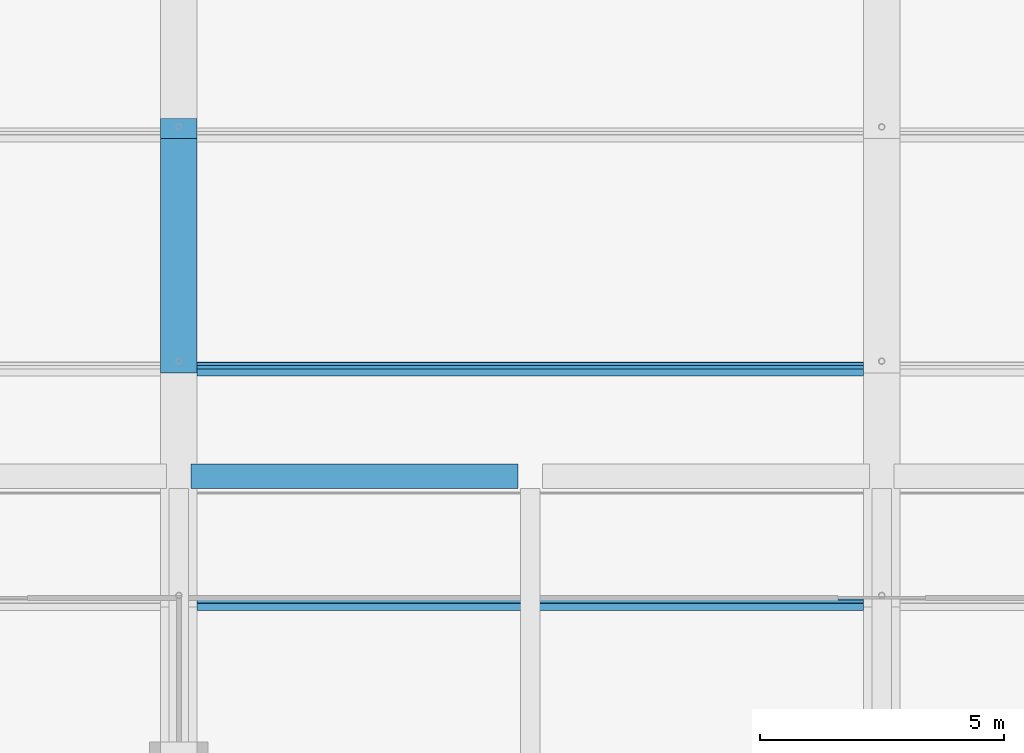
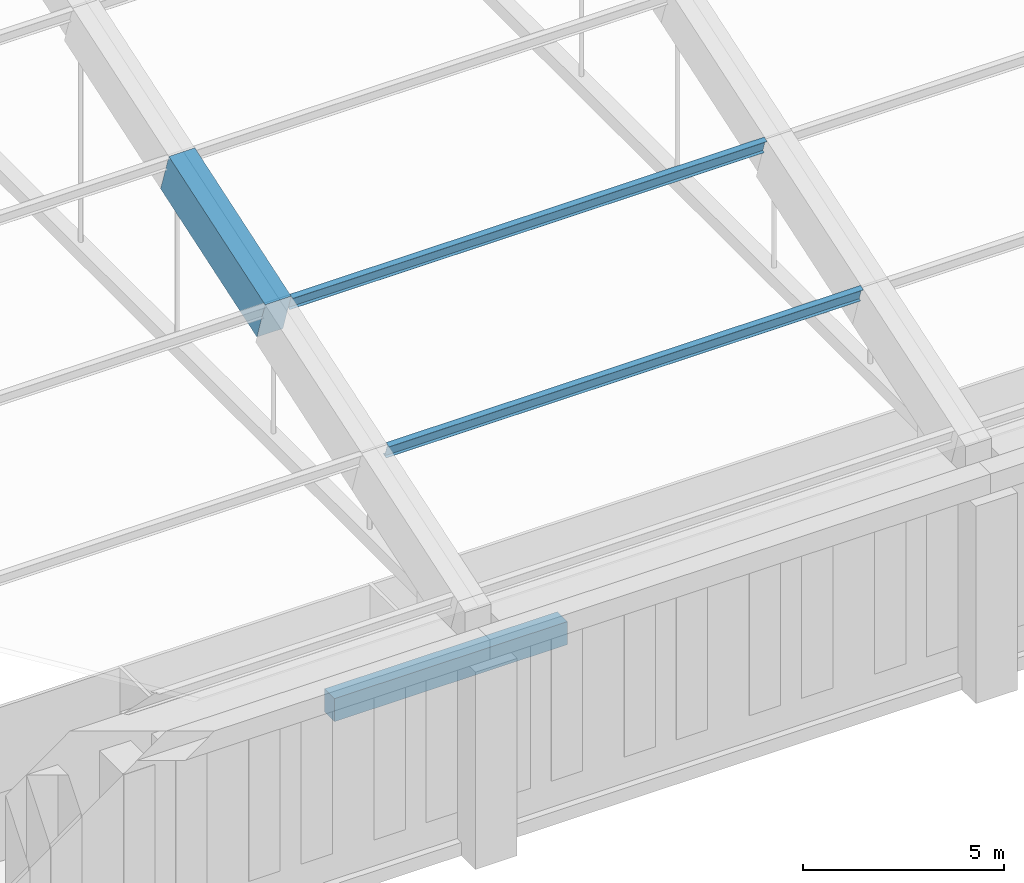
# One storey, part 19 of 149: 2 beams, 2 members.
"""IFC4 building model written with IfcOpenShell, lengths in metres."""

from ifc_helpers import new_model, si_unit, direction, frame, origin, origin_2d, place, context, subcontext, project, spatial, rectangle, i_section, extrude, material, material_profile, profile_set, type_object, element, save


model = new_model("IFC4")

# Units and contexts
model_context = context("Model", 3, precision=1e-05, world=origin(), true_north=direction((0.0, 1.0)))
body_context = subcontext(model_context, "Body", "Model", "MODEL_VIEW")
ifc_project = project(units=[si_unit("LENGTHUNIT", "METRE"), si_unit("AREAUNIT", "SQUARE_METRE"), si_unit("VOLUMEUNIT", "CUBIC_METRE"), si_unit("PLANEANGLEUNIT", "RADIAN"), si_unit("MASSUNIT", "GRAM", prefix="KILO")], contexts=[model_context])

# Site, building, storey
site_placement = place(None, origin())
site = spatial("IfcSite", under=ifc_project, at=site_placement, CompositionType="ELEMENT")
building_placement = place(site_placement, origin())
building = spatial("IfcBuilding", under=site, at=building_placement, Name="Alderwick Market Hall", CompositionType="ELEMENT")
storey_placement = place(building_placement, frame((0.0, 0.0, 9.60009765625)))
storey = spatial("IfcBuildingStorey", under=building, at=storey_placement, Name="L01", CompositionType="ELEMENT", Elevation=9.60009765625)

# Beams
ifc_material_1 = material(Name="Concrete 5000 psi (f'c 35 MPa)", Category="concrete")
ifc_material_profile_1 = material_profile(ifc_material_1, rectangle(XDim=0.5, YDim=0.699951171875, at=origin_2d()), Name="RC 500x700")
ifc_profile_set_1 = profile_set([ifc_material_profile_1], Name="Concrete 5000 psi (f'c 35 MPa)")
beam_type_1 = type_object("IfcBeamType", Name="H Edge beam 500x700", PredefinedType="BEAM", material=ifc_profile_set_1)
beam_1_placement = place(storey_placement, frame((108.25, 57.639892578125, -0.60009765625), z_axis=(1.0, 0.0, 0.0), x_axis=(0.0, 1.0, 0.0)))
element("IfcBeam", 1, at=beam_1_placement, inside=storey, type_object=beam_type_1, Name="Gallery edge beam S", PredefinedType="BEAM", context=body_context, shape_type="SweptSolid", body=[
    extrude(rectangle(XDim=0.5, YDim=0.699951171875, at=origin_2d()), origin(), (0.0, 0.0, 1.0), 6.699951171875),
])
ifc_material_profile_2 = material_profile(ifc_material_1, rectangle(XDim=0.75, YDim=1.300048828125, at=origin_2d()), Name="RC 750x1300")
ifc_profile_set_2 = profile_set([ifc_material_profile_2], Name="Concrete 5000 psi (f'c 35 MPa)")
beam_type_2 = type_object("IfcBeamType", Name="R Arch Rib Haunch 750x1300", PredefinedType="BEAM", material=ifc_profile_set_2)
beam_2_placement = place(storey_placement, frame((108.0, 59.96826171875, 9.894775390625), z_axis=(0.0, 0.948678472761, 0.316242241517), x_axis=(-1.0, 0.0, 0.0)))
element("IfcBeam", 2, at=beam_2_placement, inside=storey, type_object=beam_type_2, Name="Arch rib 5 chord 3", PredefinedType="BEAM", context=body_context, shape_type="SweptSolid", body=[
    extrude(rectangle(XDim=0.75, YDim=1.300048828125, at=origin_2d()), origin(), (0.0, 0.0, 1.0), 5.059814453125),
])

# Members
ifc_material_2 = material(Name="Steel ASTM A992 Grade 50", Category="steel")
ifc_material_profile_3 = material_profile(ifc_material_2, i_section(OverallWidth=0.153076171875, OverallDepth=0.455078125, WebThickness=0.008056640625, FlangeThickness=0.01318359375, at=origin_2d()), Name="W18x40")
ifc_profile_set_3 = profile_set([ifc_material_profile_3], Name="Steel ASTM A992 Grade 50")
member_type = type_object("IfcMemberType", Name="R Purlin W18x40", PredefinedType="PURLIN", material=ifc_profile_set_3)
for number, where, z_axis, x_axis, name in (
    (3, (108.375, 55.03662109375, 8.68994140625), (1.0, 0.0, 0.0), (0.0, 0.948683297073, 0.316227768949), "Roof purlin 2.5"),
    (4, (108.375, 59.836669921875, 10.289794921875), (1.0, 0.0, 0.0), (0.0, 0.948683297073, 0.316227768949), "Roof purlin 3.5"),
):
    element("IfcMember", number, at=place(storey_placement, frame(where, z_axis=z_axis, x_axis=x_axis)), inside=storey, type_object=member_type, Name=name, PredefinedType="PURLIN", context=body_context, shape_type="SweptSolid", body=[
        extrude(i_section(OverallWidth=0.153076171875, OverallDepth=0.455078125, WebThickness=0.008056640625, FlangeThickness=0.01318359375, at=origin_2d()), origin(), (0.0, 0.0, 1.0), 13.64990234375),
    ])

save(model, "model.ifc")
